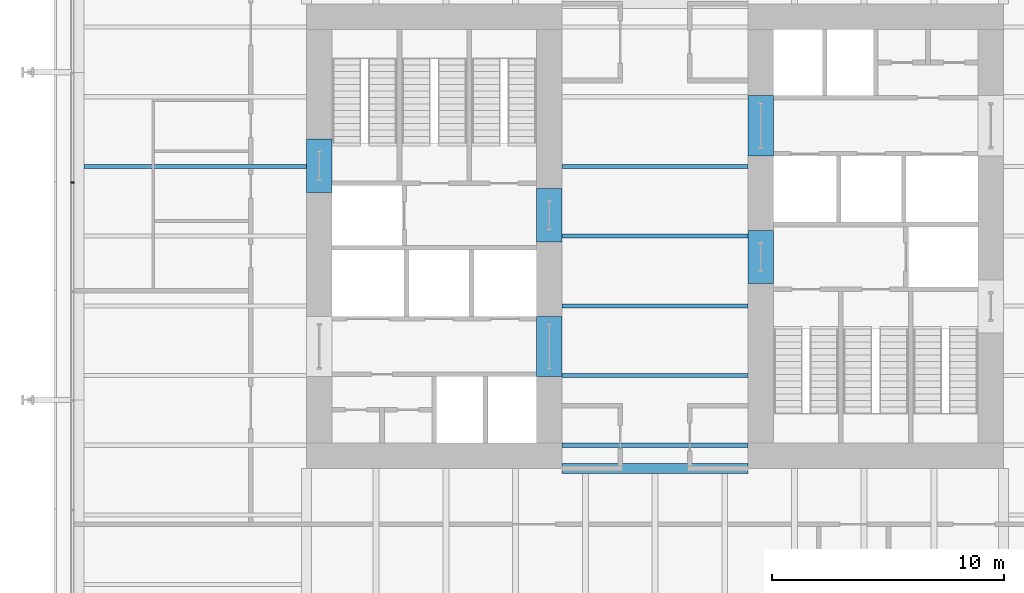
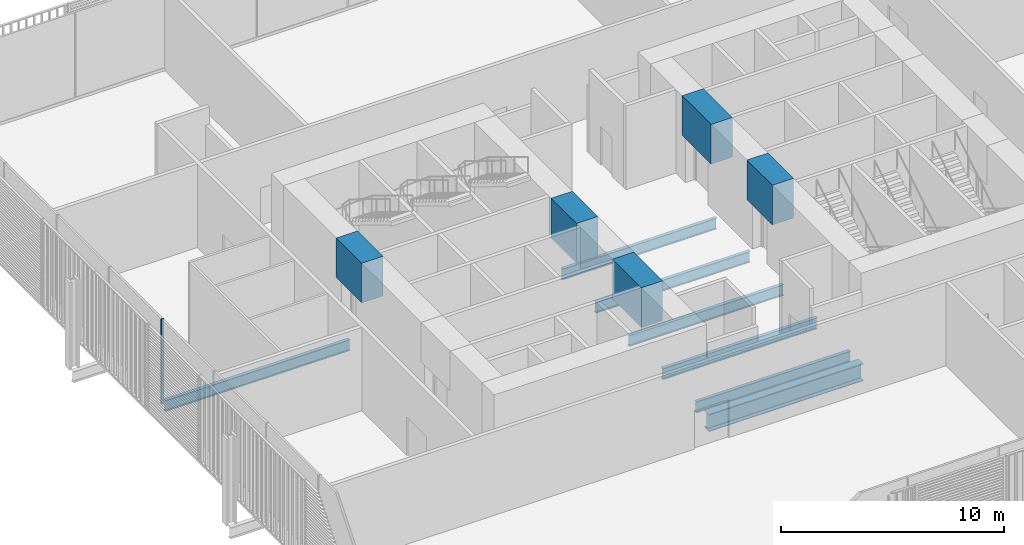
# One storey, part 7 of 22: 12 beams, 1 member, 1 element without a shape of its own.
"""IFC4 building model written with IfcOpenShell, lengths in metres."""

from ifc_helpers import new_model, si_unit, direction, frame, origin, origin_2d, place, context, subcontext, project, spatial, rectangle, i_section, extrude, material, layer, layer_set, material_profile, profile_set, type_object, element, aggregate, save


model = new_model("IFC4")

# Units and contexts
model_context = context("Model", 3, precision=1e-05, world=origin(), true_north=direction((0.0, 1.0)))
body_context = subcontext(model_context, "Body", "Model", "MODEL_VIEW")
ifc_project = project(units=[si_unit("LENGTHUNIT", "METRE"), si_unit("AREAUNIT", "SQUARE_METRE"), si_unit("VOLUMEUNIT", "CUBIC_METRE"), si_unit("PLANEANGLEUNIT", "RADIAN"), si_unit("MASSUNIT", "GRAM", prefix="KILO")], contexts=[model_context])

# Site, building, storey
site_placement = place(None, origin())
site = spatial("IfcSite", under=ifc_project, at=site_placement, CompositionType="ELEMENT")
building_placement = place(site_placement, origin())
building = spatial("IfcBuilding", under=site, at=building_placement, Name="Millrace Tower", CompositionType="ELEMENT")
storey_placement = place(building_placement, frame((0.0, 0.0, 49.699951171875)))
storey = spatial("IfcBuildingStorey", under=building, at=storey_placement, Name="L11", CompositionType="ELEMENT", Elevation=49.699951171875)

# Curtain wall, member
ifc_material_1 = material(Name="Aluminium and glass", Category="aluminium")
ifc_layer = layer(ifc_material_1, 0.14990234375)
ifc_layer_set = layer_set([ifc_layer], Name="Aluminium and glass")
curtain_wall_type = type_object("IfcCurtainWallType", Name="CW-2 data hall insulated curtain wall", PredefinedType="NOTDEFINED", material=ifc_layer_set)
curtain_wall_placement = place(storey_placement, origin())
curtain_wall = element("IfcCurtainWall", 1, at=curtain_wall_placement, inside=storey, type_object=curtain_wall_type, Name="Curtain wall A-F08 L11", PredefinedType="NOTDEFINED")
ifc_material_2 = material(Name="Aluminium", Category="aluminium")
ifc_material_profile_1 = material_profile(ifc_material_2, rectangle(XDim=0.06494140625, YDim=0.14990234375, at=origin_2d()))
ifc_profile_set_1 = profile_set([ifc_material_profile_1], Name="Aluminium")
member_type = type_object("IfcMemberType", Name="CW-2 data hall insulated curtain wall mullion", PredefinedType="MULLION", material=ifc_profile_set_1)
member_placement = place(storey_placement, frame((-25.074951171875, 2.3173828125, 0.16015625), z_axis=(0.0, 0.0, 1.0), x_axis=(0.0, -1.0, 0.0)))
member = element("IfcMember", 2, at=member_placement, type_object=member_type, Name="CW2 mullion A-F08.5", PredefinedType="MULLION", context=body_context, shape_type="SweptSolid", body=[
    extrude(rectangle(XDim=0.06494140625, YDim=0.14990234375, at=origin_2d()), origin(), (0.0, 0.0, 1.0), 4.639892578125),
])
aggregate(curtain_wall, [member])

# Beams
ifc_material_3 = material(Name="Concrete C80", Category="concrete")
ifc_material_profile_2 = material_profile(ifc_material_3, rectangle(XDim=1.10009765625, YDim=2.175048828125, at=origin_2d()))
ifc_profile_set_2 = profile_set([ifc_material_profile_2], Name="Concrete C80")
beam_type_1 = type_object("IfcBeamType", Name="Coupling beam 1100 x 2175 Concrete C80, 1300 opening", PredefinedType="BEAM", material=ifc_profile_set_2)
beam_1_placement = place(storey_placement, frame((-14.449951171875, 1.88818359375, 3.487548828125), z_axis=(0.0, 1.0, 0.0), x_axis=(-1.0, 0.0, 0.0)))
element("IfcBeam", 3, at=beam_1_placement, inside=storey, type_object=beam_type_1, Name="Coupling beam W L11", PredefinedType="BEAM", context=body_context, shape_type="SweptSolid", body=[
    extrude(rectangle(XDim=1.10009765625, YDim=2.175048828125, at=origin_2d()), origin(), (0.0, 0.0, 1.0), 2.28369140625),
])
for number, where, z_axis, x_axis, name in (
    (4, (-4.550048828125, -0.241943359375, 3.487548828125), (0.0, 1.0, 0.0), (-1.0, 0.0, 0.0), "Coupling beam W L11"),
    (5, (4.550048828125, 0.241943359375, 3.487548828125), (0.0, -1.0, 0.0), (1.0, 0.0, 0.0), "Coupling beam E L11"),
):
    element("IfcBeam", number, at=place(storey_placement, frame(where, z_axis=z_axis, x_axis=x_axis)), inside=storey, type_object=beam_type_1, Name=name, PredefinedType="BEAM", context=body_context, shape_type="SweptSolid", body=[
        extrude(rectangle(XDim=1.10009765625, YDim=2.175048828125, at=origin_2d()), origin(), (0.0, 0.0, 1.0), 2.283935546875),
    ])
ifc_material_4 = material(Name="Concrete C80", Category="concrete")
ifc_material_profile_3 = material_profile(ifc_material_4, rectangle(XDim=1.10009765625, YDim=2.175048828125, at=origin_2d()))
ifc_profile_set_3 = profile_set([ifc_material_profile_3], Name="Concrete C80")
beam_type_2 = type_object("IfcBeamType", Name="Coupling beam 1100 x 2175 Concrete C80, 2000 opening", PredefinedType="BEAM", material=ifc_profile_set_3)
for number, where, z_axis, x_axis, name in (
    (6, (-4.550048828125, -6.050048828125, 3.487548828125), (0.0, 1.0, 0.0), (-1.0, 0.0, 0.0), "Coupling beam W L11"),
    (7, (4.550048828125, 6.050048828125, 3.487548828125), (0.0, -1.0, 0.0), (1.0, 0.0, 0.0), "Coupling beam E L11"),
):
    element("IfcBeam", number, at=place(storey_placement, frame(where, z_axis=z_axis, x_axis=x_axis)), inside=storey, type_object=beam_type_2, Name=name, PredefinedType="BEAM", context=body_context, shape_type="SweptSolid", body=[
        extrude(rectangle(XDim=1.10009765625, YDim=2.175048828125, at=origin_2d()), origin(), (0.0, 0.0, 1.0), 2.60009765625),
    ])
ifc_material_5 = material(Name="Steel ASTM A992 Grade 50", Category="steel")
ifc_material_profile_4 = material_profile(ifc_material_5, i_section(OverallWidth=0.177978515625, OverallDepth=0.599365234375, WebThickness=0.010009765625, FlangeThickness=0.012939453125, FilletRadius=0.012939453125, at=origin_2d()))
ifc_profile_set_4 = profile_set([ifc_material_profile_4], Name="Steel ASTM A992 Grade 50")
beam_type_3 = type_object("IfcBeamType", Name="Floor beam W24x55", PredefinedType="JOIST", material=ifc_profile_set_4)
for number, where, z_axis, x_axis, name in (
    (8, (-4.0, -9.0, -0.524658203125), (1.0, 0.0, 0.0), (0.0, 1.0, 0.0), "BM-A-L11-S1-S011"),
    (9, (-4.0, -6.0, -0.524658203125), (1.0, 0.0, 0.0), (0.0, 1.0, 0.0), "BM-A-L11-S1-S014"),
    (10, (-4.0, -3.0, -0.524658203125), (1.0, 0.0, 0.0), (0.0, 1.0, 0.0), "BM-A-L11-S1-S017"),
    (11, (-4.0, 0.0, -0.524658203125), (1.0, 0.0, 0.0), (0.0, 1.0, 0.0), "BM-A-L11-S1-S020"),
    (12, (-4.0, 3.0, -0.524658203125), (1.0, 0.0, 0.0), (0.0, 1.0, 0.0), "BM-A-L11-S1-S023"),
):
    element("IfcBeam", number, at=place(storey_placement, frame(where, z_axis=z_axis, x_axis=x_axis)), inside=storey, type_object=beam_type_3, Name=name, PredefinedType="JOIST", context=body_context, shape_type="SweptSolid", body=[
        extrude(i_section(OverallWidth=0.177978515625, OverallDepth=0.599365234375, WebThickness=0.010009765625, FlangeThickness=0.012939453125, FilletRadius=0.012939453125, at=origin_2d()), origin(), (0.0, 0.0, 1.0), 8.0),
    ])
ifc_material_6 = material(Name="Steel ASTM A992 Grade 50", Category="steel")
ifc_material_profile_5 = material_profile(ifc_material_6, i_section(OverallWidth=0.1787109375, OverallDepth=0.60205078125, WebThickness=0.010986328125, FlangeThickness=0.014892578125, FilletRadius=0.0126953125, at=origin_2d()))
ifc_profile_set_5 = profile_set([ifc_material_profile_5], Name="Steel ASTM A992 Grade 50")
beam_type_4 = type_object("IfcBeamType", Name="Floor beam W24x62", PredefinedType="JOIST", material=ifc_profile_set_5)
beam_2_placement = place(storey_placement, frame((-24.578369140625, 3.0, -0.52587890625), z_axis=(1.0, 0.0, 0.0), x_axis=(0.0, 1.0, 0.0)))
element("IfcBeam", 13, at=beam_2_placement, inside=storey, type_object=beam_type_4, Name="BM-A-L11-S1-S024", PredefinedType="JOIST", context=body_context, shape_type="SweptSolid", body=[
    extrude(i_section(OverallWidth=0.1787109375, OverallDepth=0.60205078125, WebThickness=0.010986328125, FlangeThickness=0.014892578125, FilletRadius=0.0126953125, at=origin_2d()), origin(), (0.0, 0.0, 1.0), 9.578369140625),
])
ifc_material_7 = material(Name="Steel ASTM A992 Grade 50", Category="steel")
ifc_material_profile_6 = material_profile(ifc_material_7, i_section(OverallWidth=0.424072265625, OverallDepth=0.947509765625, WebThickness=0.02392578125, FlangeThickness=0.042724609375, FilletRadius=0.024169921875, at=origin_2d()))
ifc_profile_set_6 = profile_set([ifc_material_profile_6], Name="Steel ASTM A992 Grade 50")
beam_type_5 = type_object("IfcBeamType", Name="Girder short span W36x302", PredefinedType="BEAM", material=ifc_profile_set_6)
beam_3_placement = place(storey_placement, frame((-4.0, -10.0, -0.69873046875), z_axis=(1.0, 0.0, 0.0), x_axis=(0.0, 1.0, 0.0)))
element("IfcBeam", 14, at=beam_3_placement, inside=storey, type_object=beam_type_5, Name="BM-A-L11-S1-G065", PredefinedType="BEAM", context=body_context, shape_type="SweptSolid", body=[
    extrude(i_section(OverallWidth=0.424072265625, OverallDepth=0.947509765625, WebThickness=0.02392578125, FlangeThickness=0.042724609375, FilletRadius=0.024169921875, at=origin_2d()), origin(), (0.0, 0.0, 1.0), 8.0),
])

save(model, "model.ifc")
